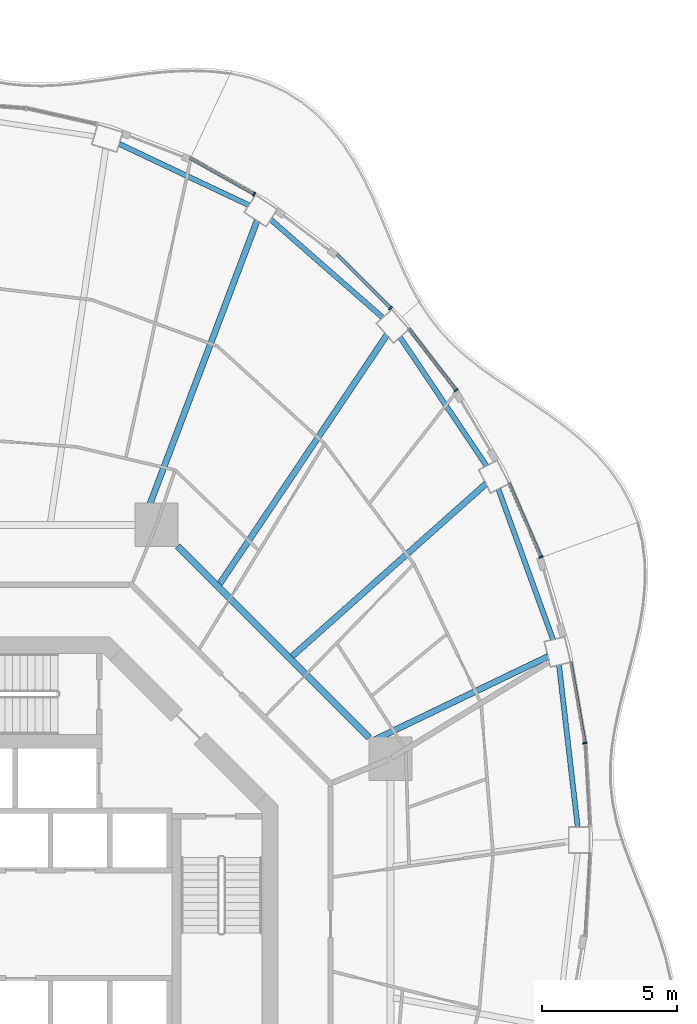
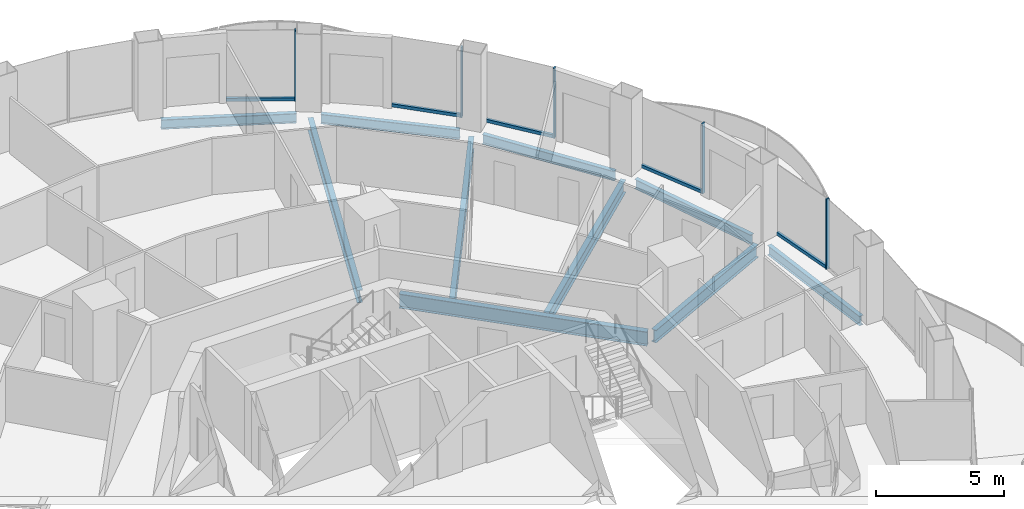
# One storey, part 7 of 18: 10 beams, 10 members, 5 elements without a shape of their own.
"""IFC4 building model written with IfcOpenShell, lengths in metres."""

import ifcopenshell
import ifcopenshell.guid

model = None  # the IFC model being written
_history = None  # IfcOwnerHistory: only IFC2X3 demands one
_inside = {}  # id of a spatial element -> (the spatial element, [elements in it])
_under = {}  # id of a project, library or spatial element -> (it, [spatial elements below it])
_declared = {}  # id of a project -> (the project, [libraries it declares])
_typed = {}  # id of a type object -> (the type object, [elements of that type])
_made_of = {}  # id of a material, layer set ... -> (it, [elements and type objects made of it])


def new_model(schema):
    """Start an empty IFC model of exactly this schema.

    Asked for "IFC4X3", IfcOpenShell would pick the latest addendum, in which some entities
    have other attributes; the version numbers below select the first issue.
    IFC2X3 requires an IfcOwnerHistory on every rooted entity: one is made here for all.
    """
    global model, _history
    if schema == "IFC4X3":
        model = ifcopenshell.file(schema_version=(4, 3, 0, 0))
    else:
        model = ifcopenshell.file(schema=schema)
    _inside.clear()
    _under.clear()
    _declared.clear()
    _typed.clear()
    _made_of.clear()
    _history = None
    if model.schema == "IFC2X3":
        org = make("IfcOrganization", Name="unknown")
        user = make(
            "IfcPersonAndOrganization",
            ThePerson=make("IfcPerson", FamilyName="unknown"),
            TheOrganization=org,
        )
        app = make(
            "IfcApplication",
            ApplicationDeveloper=org,
            Version="unknown",
            ApplicationFullName="unknown",
            ApplicationIdentifier="unknown",
        )
        _history = make(
            "IfcOwnerHistory",
            OwningUser=user,
            OwningApplication=app,
            ChangeAction="ADDED",
            CreationDate=0,
        )
    return model


def make(cls, **values):
    """One entity of the class cls with the attributes given. An attribute that is None is left unset."""
    return model.create_entity(
        cls, **{name: value for name, value in values.items() if value is not None}
    )


def rooted(cls, **values):
    """An entity with a GlobalId (a new one), such as an element, a storey or a relation."""
    return make(cls, GlobalId=ifcopenshell.guid.new(), OwnerHistory=_history, **values)


def si_unit(unit_type, name, prefix=None):
    """IfcSIUnit, for example si_unit("LENGTHUNIT", "METRE", prefix="MILLI")."""
    return make("IfcSIUnit", UnitType=unit_type, Prefix=prefix, Name=name)


def assignment(units):
    """IfcUnitAssignment: the units of a project."""
    return None if units is None else make("IfcUnitAssignment", Units=units)


def point(xyz):
    """IfcCartesianPoint."""
    return None if xyz is None else make("IfcCartesianPoint", Coordinates=xyz)


def direction(xyz):
    """IfcDirection."""
    return None if xyz is None else make("IfcDirection", DirectionRatios=xyz)


def frame(location, z_axis=None, x_axis=None):
    """IfcAxis2Placement3D, a coordinate frame: its origin and axes. An axis left out is left unset."""
    return make(
        "IfcAxis2Placement3D",
        Location=point(location),
        Axis=direction(z_axis),
        RefDirection=direction(x_axis),
    )


def frame_2d(location, x_axis=None):
    """IfcAxis2Placement2D, a coordinate frame in the plane: its origin and x axis."""
    return make(
        "IfcAxis2Placement2D", Location=point(location), RefDirection=direction(x_axis)
    )


def origin():
    """The frame at (0, 0, 0) with its axes left unset."""
    return frame((0.0, 0.0, 0.0))


def origin_2d():
    """The frame at (0, 0) in the plane with its x axis left unset."""
    return frame_2d((0.0, 0.0))


def place(relative_to, where):
    """IfcLocalPlacement: puts the frame where relative to a parent placement (None: the world)."""
    return make(
        "IfcLocalPlacement", PlacementRelTo=relative_to, RelativePlacement=where
    )


def context(
    kind, dimensions, precision=None, world=None, true_north=None, identifier=None
):
    """IfcGeometricRepresentationContext, for example the 3D "Model" context."""
    return make(
        "IfcGeometricRepresentationContext",
        ContextIdentifier=identifier,
        ContextType=kind,
        CoordinateSpaceDimension=dimensions,
        Precision=precision,
        WorldCoordinateSystem=world,
        TrueNorth=true_north,
    )


def subcontext(parent, identifier, kind, view, scale=None):
    """IfcGeometricRepresentationSubContext, for example "Body" below "Model"."""
    return make(
        "IfcGeometricRepresentationSubContext",
        ContextIdentifier=identifier,
        ContextType=kind,
        ParentContext=parent,
        TargetScale=scale,
        TargetView=view,
    )


def project(units=None, contexts=None):
    """IfcProject with its units and contexts."""
    return rooted(
        "IfcProject",
        Name="project",
        RepresentationContexts=contexts,
        UnitsInContext=assignment(units),
    )


def spatial(cls, under=None, at=None, **own):
    """A site, building, storey or space (cls), placed at a placement, below another one or the project."""
    s = rooted(cls, ObjectPlacement=at, **own)
    if under is not None:
        _under.setdefault(under.id(), (under, []))[1].append(s)
    return s


def profile(cls, at=None, kind="AREA", **sizes):
    """A parametric profile (cls). Its sizes go by their IFC names, for example OverallWidth=200.0."""
    return make(cls, ProfileType=kind, Position=at, **sizes)


def rectangle(**sizes):
    """IfcRectangleProfileDef."""
    return profile("IfcRectangleProfileDef", **sizes)


def i_section(**sizes):
    """IfcIShapeProfileDef."""
    return profile("IfcIShapeProfileDef", **sizes)


def extrude(swept, where, along, depth):
    """IfcExtrudedAreaSolid: the profile swept, set in the frame where, extruded along a direction by depth."""
    return make(
        "IfcExtrudedAreaSolid",
        SweptArea=swept,
        Position=where,
        ExtrudedDirection=direction(along),
        Depth=depth,
    )


def shape(context_of_items, identifier, shape_type, items):
    """IfcShapeRepresentation: the items that make up one representation, for example the "Body"."""
    return make(
        "IfcShapeRepresentation",
        ContextOfItems=context_of_items,
        RepresentationIdentifier=identifier,
        RepresentationType=shape_type,
        Items=items,
    )


def material(Name=None, Category=None):
    """IfcMaterial."""
    return make("IfcMaterial", Name=Name, Category=Category)


def layer(
    of_material, thickness, ventilated=None, Name=None, Category=None, Priority=None
):
    """IfcMaterialLayer: one layer of a wall or slab, of a material (None: an air gap)."""
    return make(
        "IfcMaterialLayer",
        Material=of_material,
        LayerThickness=thickness,
        IsVentilated=ventilated,
        Name=Name,
        Category=Category,
        Priority=Priority,
    )


def layer_set(layers, Name=None):
    """IfcMaterialLayerSet."""
    return make("IfcMaterialLayerSet", MaterialLayers=layers, LayerSetName=Name)


def material_profile(
    of_material, cross_section, Name=None, Category=None, Priority=None
):
    """IfcMaterialProfile: a cross section and its material."""
    return make(
        "IfcMaterialProfile",
        Name=Name,
        Material=of_material,
        Profile=cross_section,
        Priority=Priority,
        Category=Category,
    )


def profile_set(profiles, Name=None, composite=None):
    """IfcMaterialProfileSet."""
    return make(
        "IfcMaterialProfileSet",
        Name=Name,
        MaterialProfiles=profiles,
        CompositeProfile=composite,
    )


def made_of(thing, what):
    """Note that an element or type object is made of a material, layer set ...; save() writes the relation."""
    if what is not None:
        _made_of.setdefault(what.id(), (what, []))[1].append(thing)
    return thing


def type_object(cls, material=None, **own):
    """A type object (cls), such as IfcWallType, which elements share."""
    return made_of(rooted(cls, **own), material)


def element(
    cls,
    number,
    at=None,
    inside=None,
    cuts=None,
    type_object=None,
    material=None,
    context=None,
    identifier="Body",
    shape_type=None,
    held_by="IfcProductDefinitionShape",
    body=None,
    shapes=None,
    **own,
):
    """One element of the class cls, such as IfcWall. Its Tag is "e" and its number.

    at: its placement. inside: the storey or other place that contains it. cuts: it is an
    opening in that element (IfcRelVoidsElement). A single representation is given by context,
    identifier, shape_type and body (its items); several are given by shapes. held_by: the class
    of the entity that holds the representations. save() writes the other relations.
    """
    e = rooted(cls, Tag="e%d" % number, ObjectPlacement=at, **own)
    if body is not None:
        shapes = [shape(context, identifier, shape_type, body)]
    if shapes is not None:
        e.Representation = make(held_by, Representations=shapes)
    if inside is not None:
        _inside.setdefault(inside.id(), (inside, []))[1].append(e)
    if cuts is not None:
        rooted(
            "IfcRelVoidsElement", RelatingBuildingElement=cuts, RelatedOpeningElement=e
        )
    if type_object is not None:
        _typed.setdefault(type_object.id(), (type_object, []))[1].append(e)
    return made_of(e, material)


def aggregate(whole, parts):
    """IfcRelAggregates: a whole, such as a stair, and the parts it consists of."""
    return rooted("IfcRelAggregates", RelatingObject=whole, RelatedObjects=parts)


def save(model, path):
    """Write the relations noted so far, then the file.

    IfcRelAggregates (storeys below a building ...), IfcRelContainedInSpatialStructure (elements
    in a storey), IfcRelDefinesByType, IfcRelAssociatesMaterial and IfcRelDeclares: one each for
    every whole, place, type object, material and project.
    """
    for whole, parts in _under.values():
        aggregate(whole, parts)
    for where, things in _inside.values():
        rooted(
            "IfcRelContainedInSpatialStructure",
            RelatedElements=things,
            RelatingStructure=where,
        )
    for kind, things in _typed.values():
        rooted("IfcRelDefinesByType", RelatedObjects=things, RelatingType=kind)
    for what, things in _made_of.values():
        rooted("IfcRelAssociatesMaterial", RelatedObjects=things, RelatingMaterial=what)
    for by, libraries in _declared.values():
        rooted("IfcRelDeclares", RelatingContext=by, RelatedDefinitions=libraries)
    model.write(path)


model = new_model("IFC4")

# Units and contexts
model_context = context("Model", 3, precision=1e-05, world=origin(), true_north=direction((0.0, 1.0)))
body_context = subcontext(model_context, "Body", "Model", "MODEL_VIEW")
ifc_project = project(units=[si_unit("LENGTHUNIT", "METRE"), si_unit("AREAUNIT", "SQUARE_METRE"), si_unit("VOLUMEUNIT", "CUBIC_METRE"), si_unit("PLANEANGLEUNIT", "RADIAN"), si_unit("MASSUNIT", "GRAM", prefix="KILO")], contexts=[model_context])

# Site, building, storey
site_placement = place(None, origin())
site = spatial("IfcSite", under=ifc_project, at=site_placement, CompositionType="ELEMENT")
building_placement = place(site_placement, origin())
building = spatial("IfcBuilding", under=site, at=building_placement, Name="Nagisa Residences", CompositionType="ELEMENT")
storey_placement = place(building_placement, frame((0.0, 0.0, 249.199951171875)))
storey = spatial("IfcBuildingStorey", under=building, at=storey_placement, Name="L63", CompositionType="ELEMENT", Elevation=249.199951171875)

# Curtain wall, member
ifc_material_1 = material(Name="Concrete-coloured aluminium curtain wall system", Category="concrete")
ifc_layer = layer(ifc_material_1, 0.159912109375)
ifc_layer_set = layer_set([ifc_layer], Name="CW1 CURTAIN WALL")
curtain_wall_type = type_object("IfcCurtainWallType", Name="CW1 CURTAIN WALL", PredefinedType="NOTDEFINED", material=ifc_layer_set)
curtain_wall_1_placement = place(storey_placement, origin())
curtain_wall_1 = element("IfcCurtainWall", 1, at=curtain_wall_1_placement, inside=storey, type_object=curtain_wall_type, Name="cw:CW1:L63:01", PredefinedType="NOTDEFINED")
ifc_material_2 = material(Name="Concrete-coloured aluminium", Category="concrete")
ifc_material_profile_1 = material_profile(ifc_material_2, rectangle(XDim=0.159912109375, YDim=0.06005859375, at=origin_2d()), Name="CW1 MULLION 160x60")
ifc_profile_set_1 = profile_set([ifc_material_profile_1], Name="Concrete-coloured aluminium")
member_type_1 = type_object("IfcMemberType", Name="CW1 MULLION 160x60", PredefinedType="MULLION", material=ifc_profile_set_1)
member_1_placement = place(storey_placement, frame((21.980224609375, 6.70849609375, 0.0), z_axis=(0.0, 0.0, 1.0), x_axis=(-0.985063604377, -0.172190868898, 0.0)))
member_1 = element("IfcMember", 2, at=member_1_placement, type_object=member_type_1, Name="CW1 mullion", PredefinedType="MULLION", context=body_context, shape_type="SweptSolid", body=[
    extrude(rectangle(XDim=0.159912109375, YDim=0.06005859375, at=origin_2d()), origin(), (0.0, 0.0, 1.0), 3.35009765625),
])

curtain_wall_2_placement = place(storey_placement, origin())
curtain_wall_2 = element("IfcCurtainWall", 3, at=curtain_wall_2_placement, inside=storey, type_object=curtain_wall_type, Name="cw:CW1:L63:03", PredefinedType="NOTDEFINED")
member_2_placement = place(storey_placement, frame((20.3525390625, 13.59521484375, 0.0), z_axis=(0.0, 0.0, 1.0), x_axis=(-0.917543276295, -0.397635934147, 0.0)))
member_2 = element("IfcMember", 4, at=member_2_placement, type_object=member_type_1, Name="CW1 mullion", PredefinedType="MULLION", context=body_context, shape_type="SweptSolid", body=[
    extrude(rectangle(XDim=0.159912109375, YDim=0.06005859375, at=origin_2d()), origin(), (0.0, 0.0, 1.0), 3.35009765625),
])

curtain_wall_3_placement = place(storey_placement, origin())
curtain_wall_3 = element("IfcCurtainWall", 5, at=curtain_wall_3_placement, inside=storey, type_object=curtain_wall_type, Name="cw:CW1:L63:05", PredefinedType="NOTDEFINED")
member_3_placement = place(storey_placement, frame((17.21435546875, 19.7666015625, 0.0), z_axis=(0.0, 0.0, 1.0), x_axis=(-0.792070340816, -0.610429828235, 0.0)))
member_3 = element("IfcMember", 6, at=member_3_placement, type_object=member_type_1, Name="CW1 mullion", PredefinedType="MULLION", context=body_context, shape_type="SweptSolid", body=[
    extrude(rectangle(XDim=0.159912109375, YDim=0.06005859375, at=origin_2d()), origin(), (0.0, 0.0, 1.0), 3.35009765625),
])

curtain_wall_4_placement = place(storey_placement, origin())
curtain_wall_4 = element("IfcCurtainWall", 7, at=curtain_wall_4_placement, inside=storey, type_object=curtain_wall_type, Name="cw:CW1:L63:06", PredefinedType="NOTDEFINED")
member_4_placement = place(storey_placement, frame((14.788330078125, 22.802978515625, 0.0), z_axis=(0.0, 0.0, 1.0), x_axis=(-0.706376885714, -0.707835924016, 0.0)))
member_4 = element("IfcMember", 8, at=member_4_placement, type_object=member_type_1, Name="CW1 mullion", PredefinedType="MULLION", context=body_context, shape_type="SweptSolid", body=[
    extrude(rectangle(XDim=0.159912109375, YDim=0.06005859375, at=origin_2d()), origin(), (0.0, 0.0, 1.0), 3.35009765625),
])

curtain_wall_5_placement = place(storey_placement, origin())
curtain_wall_5 = element("IfcCurtainWall", 9, at=curtain_wall_5_placement, inside=storey, type_object=curtain_wall_type, Name="cw:CW1:L63:08", PredefinedType="NOTDEFINED")
member_5_placement = place(storey_placement, frame((9.733642578125, 27.02783203125, 0.0), z_axis=(0.0, 0.0, 1.0), x_axis=(-0.489376918501, -0.872072377523, 0.0)))
member_5 = element("IfcMember", 10, at=member_5_placement, type_object=member_type_1, Name="CW1 mullion", PredefinedType="MULLION", context=body_context, shape_type="SweptSolid", body=[
    extrude(rectangle(XDim=0.159912109375, YDim=0.06005859375, at=origin_2d()), origin(), (0.0, 0.0, 1.0), 3.35009765625),
])

# Member
ifc_material_3 = material(Name="Concrete-coloured aluminium", Category="concrete")
ifc_material_profile_2 = material_profile(ifc_material_3, rectangle(XDim=0.1201171875, YDim=0.14990234375, at=origin_2d()), Name="CW1 TRANSOM 120x150")
ifc_profile_set_2 = profile_set([ifc_material_profile_2], Name="Concrete-coloured aluminium")
member_type_2 = type_object("IfcMemberType", Name="CW1 TRANSOM 120x150", PredefinedType="USERDEFINED", material=ifc_profile_set_2)
member_6_placement = place(storey_placement, frame((21.9853515625, 6.678955078125, 0.074951171875), z_axis=(-0.172241318156, 0.985054784426, 0.0), x_axis=(-0.985054784426, -0.172241318156, 0.0)))
member_6 = element("IfcMember", 11, at=member_6_placement, type_object=member_type_2, Name="CW1 transom", ObjectType="TRANSOM", PredefinedType="USERDEFINED", context=body_context, shape_type="SweptSolid", body=[
    extrude(rectangle(XDim=0.1201171875, YDim=0.14990234375, at=origin_2d()), origin(), (0.0, 0.0, 1.0), 3.0673828125),
])

aggregate(curtain_wall_1, [member_1, member_6])

member_7_placement = place(storey_placement, frame((20.3642578125, 13.567626953125, 0.074951171875), z_axis=(-0.397616567135, 0.917551669139, 0.0), x_axis=(-0.917551669139, -0.397616567135, 0.0)))
member_7 = element("IfcMember", 12, at=member_7_placement, type_object=member_type_2, Name="CW1 transom", ObjectType="TRANSOM", PredefinedType="USERDEFINED", context=body_context, shape_type="SweptSolid", body=[
    extrude(rectangle(XDim=0.1201171875, YDim=0.14990234375, at=origin_2d()), origin(), (0.0, 0.0, 1.0), 3.001953125),
])

aggregate(curtain_wall_2, [member_2, member_7])

member_8_placement = place(storey_placement, frame((17.232666015625, 19.742919921875, 0.074951171875), z_axis=(-0.610438565676, 0.792063607001, 0.0), x_axis=(-0.792063607001, -0.610438565676, 0.0)))
member_8 = element("IfcMember", 13, at=member_8_placement, type_object=member_type_2, Name="CW1 transom", ObjectType="TRANSOM", PredefinedType="USERDEFINED", context=body_context, shape_type="SweptSolid", body=[
    extrude(rectangle(XDim=0.1201171875, YDim=0.14990234375, at=origin_2d()), origin(), (0.0, 0.0, 1.0), 2.90087890625),
])

aggregate(curtain_wall_3, [member_3, member_8])

member_9_placement = place(storey_placement, frame((14.8095703125, 22.781982421875, 0.074951171875), z_axis=(-0.707836044127, 0.706376765356, 0.0), x_axis=(-0.706376765356, -0.707836044127, 0.0)))
member_9 = element("IfcMember", 14, at=member_9_placement, type_object=member_type_2, Name="CW1 transom", ObjectType="TRANSOM", PredefinedType="USERDEFINED", context=body_context, shape_type="SweptSolid", body=[
    extrude(rectangle(XDim=0.1201171875, YDim=0.14990234375, at=origin_2d()), origin(), (0.0, 0.0, 1.0), 2.84423828125),
])

aggregate(curtain_wall_4, [member_4, member_9])

member_10_placement = place(storey_placement, frame((9.759765625, 27.012939453125, 0.074951171875), z_axis=(-0.872041873719, 0.489431272479, 0.0), x_axis=(-0.489431272479, -0.872041873719, 0.0)))
member_10 = element("IfcMember", 15, at=member_10_placement, type_object=member_type_2, Name="CW1 transom", ObjectType="TRANSOM", PredefinedType="USERDEFINED", context=body_context, shape_type="SweptSolid", body=[
    extrude(rectangle(XDim=0.1201171875, YDim=0.14990234375, at=origin_2d()), origin(), (0.0, 0.0, 1.0), 2.738037109375),
])

aggregate(curtain_wall_5, [member_5, member_10])

# Beams
ifc_material_4 = material(Name="Steel ASTM A572 Gr 50", Category="steel")
ifc_material_profile_3 = material_profile(ifc_material_4, i_section(OverallWidth=0.2529296875, OverallDepth=0.677978515625, WebThickness=0.01171875, FlangeThickness=0.016357421875, at=origin_2d()), Name="W690x125")
ifc_profile_set_3 = profile_set([ifc_material_profile_3], Name="Steel ASTM A572 Gr 50")
beam_type_1 = type_object("IfcBeamType", Name="Inner ring beam W690x125", PredefinedType="BEAM", material=ifc_profile_set_3)
beam_1_placement = place(storey_placement, frame((13.99609375, 6.90869140625, -0.598876953125), z_axis=(-0.707106781187, 0.707106781187, 0.0), x_axis=(-0.707106781187, -0.707106781187, 0.0)))
element("IfcBeam", 16, at=beam_1_placement, inside=storey, type_object=beam_type_1, Name="beam:L63:ib1", PredefinedType="BEAM", context=body_context, shape_type="SweptSolid", body=[
    extrude(i_section(OverallWidth=0.2529296875, OverallDepth=0.677978515625, WebThickness=0.01171875, FlangeThickness=0.016357421875, at=origin_2d()), origin(), (0.0, 0.0, 1.0), 10.023193359375),
])
ifc_material_5 = material(Name="Steel ASTM A572 Gr 50", Category="steel")
ifc_material_profile_4 = material_profile(ifc_material_5, i_section(OverallWidth=0.18994140625, OverallDepth=0.45703125, WebThickness=0.009033203125, FlangeThickness=0.014404296875, at=origin_2d()), Name="W460x74")
ifc_profile_set_4 = profile_set([ifc_material_profile_4], Name="Steel ASTM A572 Gr 50")
beam_type_2 = type_object("IfcBeamType", Name="Perimeter ring beam W460x74", PredefinedType="BEAM", material=ifc_profile_set_4)
beam_2_placement = place(storey_placement, frame((21.714599609375, 3.597900390625, -0.488525390625), z_axis=(-0.114650193512, 0.993405925656, 0.0), x_axis=(-0.993405925656, -0.114650193512, 0.0)))
element("IfcBeam", 17, at=beam_2_placement, inside=storey, type_object=beam_type_2, Name="beam:L63:pb01", PredefinedType="BEAM", context=body_context, shape_type="SweptSolid", body=[
    extrude(i_section(OverallWidth=0.18994140625, OverallDepth=0.45703125, WebThickness=0.009033203125, FlangeThickness=0.014404296875, at=origin_2d()), origin(), (0.0, 0.0, 1.0), 6.0390625),
])
beam_3_placement = place(storey_placement, frame((20.802001953125, 10.53173828125, -0.488525390625), z_axis=(-0.34127712749, 0.939962723863, 0.0), x_axis=(-0.939962723863, -0.34127712749, 0.0)))
element("IfcBeam", 18, at=beam_3_placement, inside=storey, type_object=beam_type_2, Name="beam:L63:pb02", PredefinedType="BEAM", context=body_context, shape_type="SweptSolid", body=[
    extrude(i_section(OverallWidth=0.18994140625, OverallDepth=0.45703125, WebThickness=0.009033203125, FlangeThickness=0.014404296875, at=origin_2d()), origin(), (0.0, 0.0, 1.0), 5.9326171875),
])
beam_4_placement = place(storey_placement, frame((18.34228515625, 16.964111328125, -0.488525390625), z_axis=(-0.558109119402, 0.829767564345, 0.0), x_axis=(-0.829767564345, -0.558109119402, 0.0)))
element("IfcBeam", 19, at=beam_4_placement, inside=storey, type_object=beam_type_2, Name="beam:L63:pb03", PredefinedType="BEAM", context=body_context, shape_type="SweptSolid", body=[
    extrude(i_section(OverallWidth=0.18994140625, OverallDepth=0.45703125, WebThickness=0.009033203125, FlangeThickness=0.014404296875, at=origin_2d()), origin(), (0.0, 0.0, 1.0), 5.74365234375),
])
beam_5_placement = place(storey_placement, frame((14.502197265625, 22.45068359375, -0.488525390625), z_axis=(-0.75242320672, 0.65867998147, 0.0), x_axis=(-0.65867998147, -0.75242320672, 0.0)))
element("IfcBeam", 20, at=beam_5_placement, inside=storey, type_object=beam_type_2, Name="beam:L63:pb04", PredefinedType="BEAM", context=body_context, shape_type="SweptSolid", body=[
    extrude(i_section(OverallWidth=0.18994140625, OverallDepth=0.45703125, WebThickness=0.009033203125, FlangeThickness=0.014404296875, at=origin_2d()), origin(), (0.0, 0.0, 1.0), 5.5185546875),
])
beam_6_placement = place(storey_placement, frame((9.546630859375, 26.6123046875, -0.488525390625), z_axis=(-0.904133867308, 0.42724928319, 0.0), x_axis=(-0.42724928319, -0.904133867308, 0.0)))
element("IfcBeam", 21, at=beam_6_placement, inside=storey, type_object=beam_type_2, Name="beam:L63:pb05", PredefinedType="BEAM", context=body_context, shape_type="SweptSolid", body=[
    extrude(i_section(OverallWidth=0.18994140625, OverallDepth=0.45703125, WebThickness=0.009033203125, FlangeThickness=0.014404296875, at=origin_2d()), origin(), (0.0, 0.0, 1.0), 5.317138671875),
])
ifc_material_6 = material(Name="Steel ASTM A572 Gr 50", Category="steel")
ifc_material_profile_5 = material_profile(ifc_material_6, i_section(OverallWidth=0.22802734375, OverallDepth=0.60302734375, WebThickness=0.010498046875, FlangeThickness=0.014892578125, at=origin_2d()), Name="W610x101")
ifc_profile_set_5 = profile_set([ifc_material_profile_5], Name="Steel ASTM A572 Gr 50")
beam_type_3 = type_object("IfcBeamType", Name="Radial beam W610x101", PredefinedType="BEAM", material=ifc_profile_set_5)
beam_7_placement = place(storey_placement, frame((20.61572265625, 9.90869140625, -0.5615234375), z_axis=(-0.901297388138, -0.433200898124, 0.0), x_axis=(0.433200898124, -0.901297388138, 0.0)))
element("IfcBeam", 22, at=beam_7_placement, inside=storey, type_object=beam_type_3, Name="beam:L63:rb02", PredefinedType="BEAM", context=body_context, shape_type="SweptSolid", body=[
    extrude(i_section(OverallWidth=0.22802734375, OverallDepth=0.60302734375, WebThickness=0.010498046875, FlangeThickness=0.014892578125, at=origin_2d()), origin(), (0.0, 0.0, 1.0), 7.09423828125),
])
beam_8_placement = place(storey_placement, frame((18.318115234375, 16.301025390625, -0.5615234375), z_axis=(-0.747027831774, -0.664792763615, 0.0), x_axis=(0.664792763615, -0.747027831774, 0.0)))
element("IfcBeam", 23, at=beam_8_placement, inside=storey, type_object=beam_type_3, Name="beam:L63:rb03", PredefinedType="BEAM", context=body_context, shape_type="SweptSolid", body=[
    extrude(i_section(OverallWidth=0.22802734375, OverallDepth=0.60302734375, WebThickness=0.010498046875, FlangeThickness=0.014892578125, at=origin_2d()), origin(), (0.0, 0.0, 1.0), 9.607177734375),
])
beam_9_placement = place(storey_placement, frame((14.64697265625, 21.804931640625, -0.5615234375), z_axis=(-0.557606656779, -0.830105304354, 0.0), x_axis=(0.830105304354, -0.557606656779, 0.0)))
element("IfcBeam", 24, at=beam_9_placement, inside=storey, type_object=beam_type_3, Name="beam:L63:rb04", PredefinedType="BEAM", context=body_context, shape_type="SweptSolid", body=[
    extrude(i_section(OverallWidth=0.22802734375, OverallDepth=0.60302734375, WebThickness=0.010498046875, FlangeThickness=0.014892578125, at=origin_2d()), origin(), (0.0, 0.0, 1.0), 11.09423828125),
])
beam_10_placement = place(storey_placement, frame((9.84716796875, 26.04052734375, -0.5615234375), z_axis=(-0.353700839295, -0.935358603041, 0.0), x_axis=(0.935358603041, -0.353700839295, 0.0)))
element("IfcBeam", 25, at=beam_10_placement, inside=storey, type_object=beam_type_3, Name="beam:L63:rb05", PredefinedType="BEAM", context=body_context, shape_type="SweptSolid", body=[
    extrude(i_section(OverallWidth=0.22802734375, OverallDepth=0.60302734375, WebThickness=0.010498046875, FlangeThickness=0.014892578125, at=origin_2d()), origin(), (0.0, 0.0, 1.0), 11.921142578125),
])

save(model, "model.ifc")
